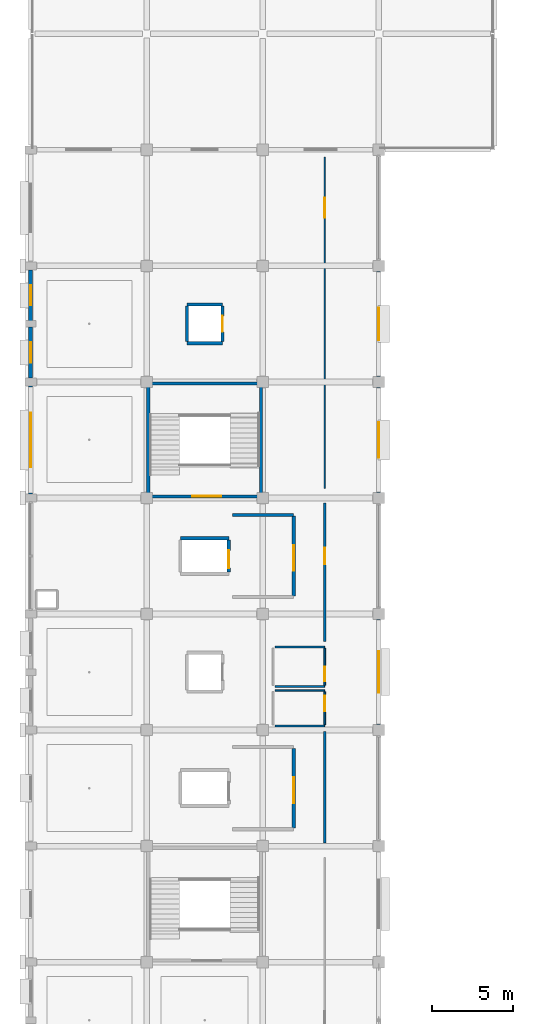
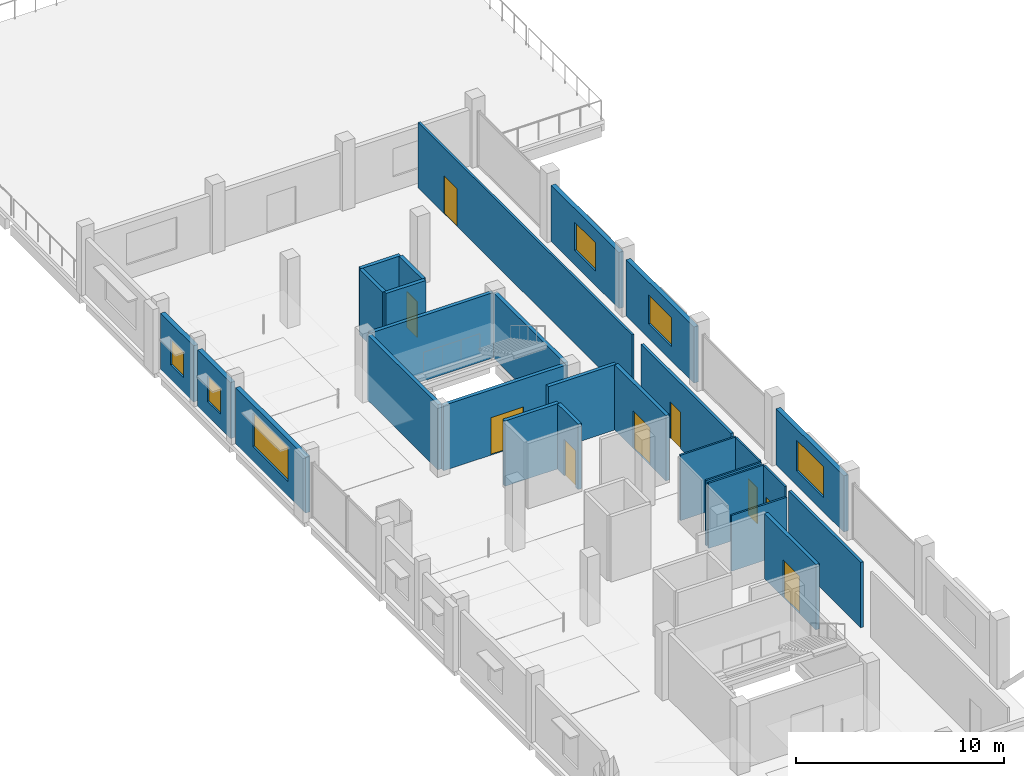
# One storey, part 53 of 77: 28 walls, 9 doors, 6 windows, 15 openings.
"""IFC4 building model written with IfcOpenShell, lengths in metres."""

from ifc_helpers import new_model, si_unit, direction, frame, frame_2d, origin, place, context, subcontext, project, spatial, rectangle, extrude, material, layer, layer_set, type_object, element, fill, save


model = new_model("IFC4")

# Units and contexts
model_context = context("Model", 3, precision=1e-05, world=origin(), true_north=direction((0.0, 1.0)))
body_context = subcontext(model_context, "Body", "Model", "MODEL_VIEW")
ifc_project = project(units=[si_unit("LENGTHUNIT", "METRE"), si_unit("AREAUNIT", "SQUARE_METRE"), si_unit("VOLUMEUNIT", "CUBIC_METRE"), si_unit("PLANEANGLEUNIT", "RADIAN"), si_unit("MASSUNIT", "GRAM", prefix="KILO")], contexts=[model_context])

# Site, building, storey
site_placement = place(None, origin())
site = spatial("IfcSite", under=ifc_project, at=site_placement, CompositionType="ELEMENT")
building_placement = place(site_placement, origin())
building = spatial("IfcBuilding", under=site, at=building_placement, Name="Kangsadwip Square Police Headquarters", CompositionType="ELEMENT")
storey_placement = place(building_placement, frame((0.0, 0.0, 17.550048828125)))
storey = spatial("IfcBuildingStorey", under=building, at=storey_placement, Name="L04", CompositionType="ELEMENT", Elevation=17.550048828125)

# Wall, opening, door
ifc_material_1 = material(Name="Fire-rated double gypsum board acoustic stud partition", Category="masonry")
ifc_layer_1 = layer(ifc_material_1, 0.1201171875)
ifc_layer_set_1 = layer_set([ifc_layer_1], Name="Fire-rated double gypsum board acoustic stud partition")
wall_type_1 = type_object("IfcWallType", Name="AcousticPartition120", PredefinedType="PARTITIONING", material=ifc_layer_set_1)
wall_1_placement = place(storey_placement, frame((18.25, 72.60009765625, 0.0), z_axis=(0.0, 0.0, 1.0), x_axis=(0.0, 1.0, 0.0)))
wall_1 = element("IfcWall", 1, at=wall_1_placement, inside=storey, type_object=wall_type_1, Name="Interior Wall WI-L04-0861", PredefinedType="PARTITIONING", context=body_context, shape_type="SweptSolid", body=[
    extrude(rectangle(XDim=20.5498046875, YDim=0.1201171875, at=frame_2d((10.27490234375, 0.0))), origin(), (0.0, 0.0, 1.0), 3.829833984375),
])
opening_1_placement = place(wall_1_placement, frame((16.7939453125, 0.0, 0.0)))
opening_1 = element("IfcOpeningElement", 2, at=opening_1_placement, cuts=wall_1, Name="Opening ID-12A", PredefinedType="OPENING", context=body_context, shape_type="SweptSolid", body=[
    extrude(rectangle(XDim=1.25, YDim=2.199951171875, at=frame_2d((0.625, 1.10009765625))), frame((0.0, 0.070068359375, 0.0), z_axis=(0.0, -1.0, 0.0), x_axis=(1.0, 0.0, 0.0)), (0.0, 0.0, 1.0), 0.14013671875),
])
ifc_material_2 = material(Name="Solid-core seasoned teak hardwood architectural door", Category="wood")
door_type_1 = type_object("IfcDoorType", Name="ClassroomDoor1250x2200", OperationType="NOTDEFINED", PredefinedType="DOOR", material=ifc_material_2)
door_1_placement = place(opening_1_placement, origin())
door_1 = element("IfcDoor", 3, at=door_1_placement, inside=storey, type_object=door_type_1, Name="Interior Door ID-L04-0233", OperationType="SINGLE_SWING_RIGHT", OverallHeight=2.199951171875, OverallWidth=1.25, PredefinedType="DOOR", context=body_context, shape_type="SweptSolid", body=[
    extrude(rectangle(XDim=1.25, YDim=2.199951171875, at=frame_2d((0.625, 1.10009765625))), frame((0.0, 0.02490234375, 0.0), z_axis=(0.0, -1.0, 0.0), x_axis=(1.0, 0.0, 0.0)), (0.0, 0.0, 1.0), 0.050048828125),
])
fill(opening_1, door_1)

ifc_material_3 = material(Name="Autoclaved aerated concrete blockwork masonry", Category="masonry")
ifc_layer_2 = layer(ifc_material_3, 0.14990234375)
ifc_layer_set_2 = layer_set([ifc_layer_2], Name="Autoclaved aerated concrete blockwork masonry")
wall_type_2 = type_object("IfcWallType", Name="BlockPartition150", PredefinedType="PARTITIONING", material=ifc_layer_set_2)
wall_2_placement = place(storey_placement, frame((18.25, 63.080078125, 0.0), z_axis=(0.0, 0.0, 1.0), x_axis=(0.0, 1.0, 0.0)))
wall_2 = element("IfcWall", 4, at=wall_2_placement, inside=storey, type_object=wall_type_2, Name="Interior Wall WI-L04-0859", PredefinedType="PARTITIONING", context=body_context, shape_type="SweptSolid", body=[
    extrude(rectangle(XDim=8.619873046875, YDim=0.14990234375, at=frame_2d((4.31005859375, 0.0))), origin(), (0.0, 0.0, 1.0), 3.829833984375),
])
opening_2_placement = place(wall_2_placement, frame((4.81396484375, 0.0, 0.0)))
opening_2 = element("IfcOpeningElement", 5, at=opening_2_placement, cuts=wall_2, Name="Opening FD-10C", PredefinedType="OPENING", context=body_context, shape_type="SweptSolid", body=[
    extrude(rectangle(XDim=1.02001953125, YDim=2.14990234375, at=frame_2d((0.510009765625, 1.074951171875))), frame((0.0, 0.0849609375, 0.0), z_axis=(0.0, -1.0, 0.0), x_axis=(1.0, 0.0, 0.0)), (0.0, 0.0, 1.0), 0.169921875),
])
ifc_material_4 = material(Name="Insulated galvanized steel fire-rated door assembly", Category="steel")
door_type_2 = type_object("IfcDoorType", Name="LabSingleDoor1020x2150", OperationType="NOTDEFINED", PredefinedType="DOOR", material=ifc_material_4)
door_2_placement = place(opening_2_placement, origin())
door_2 = element("IfcDoor", 6, at=door_2_placement, inside=storey, type_object=door_type_2, Name="Interior Door ID-L04-0232", OperationType="SINGLE_SWING_LEFT", OverallHeight=2.14990234375, OverallWidth=1.02001953125, PredefinedType="DOOR", context=body_context, shape_type="SweptSolid", body=[
    extrude(rectangle(XDim=1.02001953125, YDim=2.14990234375, at=frame_2d((0.510009765625, 1.074951171875))), frame((0.0, 0.02490234375, 0.0), z_axis=(0.0, -1.0, 0.0), x_axis=(1.0, 0.0, 0.0)), (0.0, 0.0, 1.0), 0.050048828125),
])
fill(opening_2, door_2)

# Wall
wall_3_placement = place(storey_placement, frame((18.25, 50.60009765625, 0.0), z_axis=(0.0, 0.0, 1.0), x_axis=(0.0, 1.0, 0.0)))
element("IfcWall", 7, at=wall_3_placement, inside=storey, type_object=wall_type_2, Name="Interior Wall WI-L04-0860", PredefinedType="PARTITIONING", context=body_context, shape_type="SweptSolid", body=[
    extrude(rectangle(XDim=6.919921875, YDim=0.14990234375, at=frame_2d((3.4599609375, 0.0))), origin(), (0.0, 0.0, 1.0), 3.829833984375),
])

# Wall, opening, window
ifc_material_5 = material(Name="Glazed architectural terracotta masonry rainscreen", Category="masonry")
ifc_layer_3 = layer(ifc_material_5, 0.25)
ifc_layer_set_3 = layer_set([ifc_layer_3], Name="Glazed architectural terracotta masonry rainscreen")
wall_type_3 = type_object("IfcWallType", Name="ChicagoTerracottaWall250", PredefinedType="SOLIDWALL", material=ifc_layer_set_3)
wall_4_placement = place(storey_placement, frame((0.0, 72.2451171875, 0.0), z_axis=(0.0, 0.0, 1.0), x_axis=(0.0, 1.0, 0.0)))
wall_4 = element("IfcWall", 8, at=wall_4_placement, inside=storey, type_object=wall_type_3, Name="Exterior Wall WE-L04-446", PredefinedType="SOLIDWALL", context=body_context, shape_type="SweptSolid", body=[
    extrude(rectangle(XDim=6.7099609375, YDim=0.25, at=frame_2d((3.35498046875, 0.0))), origin(), (0.0, 0.0, 1.0), 3.294921875),
])
opening_3_placement = place(wall_4_placement, frame((1.655029296875, 0.0, 0.85009765625)))
opening_3 = element("IfcOpeningElement", 9, at=opening_3_placement, cuts=wall_4, Name="Opening WN-02", PredefinedType="OPENING", context=body_context, shape_type="SweptSolid", body=[
    extrude(rectangle(XDim=3.39990234375, YDim=2.0, at=frame_2d((1.699951171875, 1.0))), frame((0.0, 0.135009765625, 0.0), z_axis=(0.0, -1.0, 0.0), x_axis=(1.0, 0.0, 0.0)), (0.0, 0.0, 1.0), 0.27001953125),
])
ifc_material_6 = material(Name="Double-glazed solar-control low-E safety glass", Category="glass")
window_type_1 = type_object("IfcWindowType", Name="ChicagoTripartiteWin3400x2000", PartitioningType="TRIPLE_PANEL_HORIZONTAL", PredefinedType="WINDOW", material=ifc_material_6)
window_1_placement = place(opening_3_placement, origin())
window_1 = element("IfcWindow", 10, at=window_1_placement, inside=storey, type_object=window_type_1, Name="Window WN-L04-0296", OverallHeight=2.0, OverallWidth=3.39990234375, PartitioningType="SINGLE_PANEL", PredefinedType="WINDOW", context=body_context, shape_type="SweptSolid", body=[
    extrude(rectangle(XDim=3.39990234375, YDim=2.0, at=frame_2d((1.699951171875, 1.0))), frame((0.0, 0.030029296875, 0.0), z_axis=(0.0, -1.0, 0.0), x_axis=(1.0, 0.0, 0.0)), (0.0, 0.0, 1.0), 0.06005859375),
])
fill(opening_3, window_1)

wall_5_placement = place(storey_placement, frame((0.0, 79.445068359375, 0.0), z_axis=(0.0, 0.0, 1.0), x_axis=(0.0, 1.0, 0.0)))
wall_5 = element("IfcWall", 11, at=wall_5_placement, inside=storey, type_object=wall_type_3, Name="Exterior Wall WE-L04-447", PredefinedType="SOLIDWALL", context=body_context, shape_type="SweptSolid", body=[
    extrude(rectangle(XDim=3.159912109375, YDim=0.25, at=frame_2d((1.580078125, 0.0))), origin(), (0.0, 0.0, 1.0), 3.294921875),
])
opening_4_placement = place(wall_5_placement, frame((0.955078125, 0.0, 0.85009765625)))
opening_4 = element("IfcOpeningElement", 12, at=opening_4_placement, cuts=wall_5, Name="Opening WN-14", PredefinedType="OPENING", context=body_context, shape_type="SweptSolid", body=[
    extrude(rectangle(XDim=1.25, YDim=1.5, at=frame_2d((0.625, 0.75))), frame((0.0, 0.135009765625, 0.0), z_axis=(0.0, -1.0, 0.0), x_axis=(1.0, 0.0, 0.0)), (0.0, 0.0, 1.0), 0.27001953125),
])
ifc_material_7 = material(Name="Double-glazed solar-control low-E safety glass", Category="glass")
window_type_2 = type_object("IfcWindowType", Name="OfficeCasementWin1250x1500", PartitioningType="SINGLE_PANEL", PredefinedType="WINDOW", material=ifc_material_7)
window_2_placement = place(opening_4_placement, origin())
window_2 = element("IfcWindow", 13, at=window_2_placement, inside=storey, type_object=window_type_2, Name="Window WN-L04-0297", OverallHeight=1.5, OverallWidth=1.25, PartitioningType="SINGLE_PANEL", PredefinedType="WINDOW", context=body_context, shape_type="SweptSolid", body=[
    extrude(rectangle(XDim=1.25, YDim=1.5, at=frame_2d((0.625, 0.75))), frame((0.0, 0.030029296875, 0.0), z_axis=(0.0, -1.0, 0.0), x_axis=(1.0, 0.0, 0.0)), (0.0, 0.0, 1.0), 0.06005859375),
])
fill(opening_4, window_2)

wall_6_placement = place(storey_placement, frame((0.0, 82.9951171875, 0.0), z_axis=(0.0, 0.0, 1.0), x_axis=(0.0, 1.0, 0.0)))
wall_6 = element("IfcWall", 14, at=wall_6_placement, inside=storey, type_object=wall_type_3, Name="Exterior Wall WE-L04-448", PredefinedType="SOLIDWALL", context=body_context, shape_type="SweptSolid", body=[
    extrude(rectangle(XDim=3.159912109375, YDim=0.25, at=frame_2d((1.580078125, 0.0))), origin(), (0.0, 0.0, 1.0), 3.294921875),
])
opening_5_placement = place(wall_6_placement, frame((0.955078125, 0.0, 0.85009765625)))
opening_5 = element("IfcOpeningElement", 15, at=opening_5_placement, cuts=wall_6, Name="Opening WN-14", PredefinedType="OPENING", context=body_context, shape_type="SweptSolid", body=[
    extrude(rectangle(XDim=1.25, YDim=1.5, at=frame_2d((0.625, 0.75))), frame((0.0, 0.135009765625, 0.0), z_axis=(0.0, -1.0, 0.0), x_axis=(1.0, 0.0, 0.0)), (0.0, 0.0, 1.0), 0.27001953125),
])
window_3_placement = place(opening_5_placement, origin())
window_3 = element("IfcWindow", 16, at=window_3_placement, inside=storey, type_object=window_type_2, Name="Window WN-L04-0298", OverallHeight=1.5, OverallWidth=1.25, PartitioningType="SINGLE_PANEL", PredefinedType="WINDOW", context=body_context, shape_type="SweptSolid", body=[
    extrude(rectangle(XDim=1.25, YDim=1.5, at=frame_2d((0.625, 0.75))), frame((0.0, 0.030029296875, 0.0), z_axis=(0.0, -1.0, 0.0), x_axis=(1.0, 0.0, 0.0)), (0.0, 0.0, 1.0), 0.06005859375),
])
fill(opening_5, window_3)

wall_7_placement = place(storey_placement, frame((21.60009765625, 57.945068359375, 0.0), z_axis=(0.0, 0.0, 1.0), x_axis=(0.0, 1.0, 0.0)))
wall_7 = element("IfcWall", 17, at=wall_7_placement, inside=storey, type_object=wall_type_3, Name="Exterior Wall WE-L04-451", PredefinedType="SOLIDWALL", context=body_context, shape_type="SweptSolid", body=[
    extrude(rectangle(XDim=6.510009765625, YDim=0.25, at=frame_2d((3.2548828125, 0.0))), origin(), (0.0, 0.0, 1.0), 3.294921875),
])
opening_6_placement = place(wall_7_placement, frame((1.955078125, 0.0, 0.85009765625)))
opening_6 = element("IfcOpeningElement", 18, at=opening_6_placement, cuts=wall_7, Name="Opening WN-06", PredefinedType="OPENING", context=body_context, shape_type="SweptSolid", body=[
    extrude(rectangle(XDim=2.60009765625, YDim=1.800048828125, at=frame_2d((1.300048828125, 0.89990234375))), frame((0.0, 0.135009765625, 0.0), z_axis=(0.0, -1.0, 0.0), x_axis=(1.0, 0.0, 0.0)), (0.0, 0.0, 1.0), 0.27001953125),
])
ifc_material_8 = material(Name="Double-glazed solar-control low-E safety glass", Category="glass")
window_type_3 = type_object("IfcWindowType", Name="ChicagoDoubleMullWin2600x1800", PartitioningType="DOUBLE_PANEL_VERTICAL", PredefinedType="WINDOW", material=ifc_material_8)
window_4_placement = place(opening_6_placement, origin())
window_4 = element("IfcWindow", 19, at=window_4_placement, inside=storey, type_object=window_type_3, Name="Window WN-L04-0301", OverallHeight=1.800048828125, OverallWidth=2.60009765625, PartitioningType="SINGLE_PANEL", PredefinedType="WINDOW", context=body_context, shape_type="SweptSolid", body=[
    extrude(rectangle(XDim=2.60009765625, YDim=1.800048828125, at=frame_2d((1.300048828125, 0.89990234375))), frame((0.0, 0.030029296875, 0.0), z_axis=(0.0, -1.0, 0.0), x_axis=(1.0, 0.0, 0.0)), (0.0, 0.0, 1.0), 0.06005859375),
])
fill(opening_6, window_4)

wall_8_placement = place(storey_placement, frame((21.60009765625, 72.344970703125, 0.0), z_axis=(0.0, 0.0, 1.0), x_axis=(0.0, 1.0, 0.0)))
wall_8 = element("IfcWall", 20, at=wall_8_placement, inside=storey, type_object=wall_type_3, Name="Exterior Wall WE-L04-452", PredefinedType="SOLIDWALL", context=body_context, shape_type="SweptSolid", body=[
    extrude(rectangle(XDim=6.510009765625, YDim=0.25, at=frame_2d((3.2548828125, 0.0))), origin(), (0.0, 0.0, 1.0), 3.294921875),
])
opening_7_placement = place(wall_8_placement, frame((2.155029296875, 0.0, 0.85009765625)))
opening_7 = element("IfcOpeningElement", 21, at=opening_7_placement, cuts=wall_8, Name="Opening WN-08", PredefinedType="OPENING", context=body_context, shape_type="SweptSolid", body=[
    extrude(rectangle(XDim=2.199951171875, YDim=1.699951171875, at=frame_2d((1.10009765625, 0.85009765625))), frame((0.0, 0.135009765625, 0.0), z_axis=(0.0, -1.0, 0.0), x_axis=(1.0, 0.0, 0.0)), (0.0, 0.0, 1.0), 0.27001953125),
])
ifc_material_9 = material(Name="Double-glazed solar-control low-E safety glass", Category="glass")
window_type_4 = type_object("IfcWindowType", Name="ChicagoDoubleMullWin2200x1700", PartitioningType="DOUBLE_PANEL_VERTICAL", PredefinedType="WINDOW", material=ifc_material_9)
window_5_placement = place(opening_7_placement, origin())
window_5 = element("IfcWindow", 22, at=window_5_placement, inside=storey, type_object=window_type_4, Name="Window WN-L04-0302", OverallHeight=1.699951171875, OverallWidth=2.199951171875, PartitioningType="SINGLE_PANEL", PredefinedType="WINDOW", context=body_context, shape_type="SweptSolid", body=[
    extrude(rectangle(XDim=2.199951171875, YDim=1.699951171875, at=frame_2d((1.10009765625, 0.85009765625))), frame((0.0, 0.030029296875, 0.0), z_axis=(0.0, -1.0, 0.0), x_axis=(1.0, 0.0, 0.0)), (0.0, 0.0, 1.0), 0.06005859375),
])
fill(opening_7, window_5)

wall_9_placement = place(storey_placement, frame((21.60009765625, 79.544921875, 0.0), z_axis=(0.0, 0.0, 1.0), x_axis=(0.0, 1.0, 0.0)))
wall_9 = element("IfcWall", 23, at=wall_9_placement, inside=storey, type_object=wall_type_3, Name="Exterior Wall WE-L04-453", PredefinedType="SOLIDWALL", context=body_context, shape_type="SweptSolid", body=[
    extrude(rectangle(XDim=6.510009765625, YDim=0.25, at=frame_2d((3.2548828125, 0.0))), origin(), (0.0, 0.0, 1.0), 3.294921875),
])
opening_8_placement = place(wall_9_placement, frame((2.2548828125, 0.0, 0.85009765625)))
opening_8 = element("IfcOpeningElement", 24, at=opening_8_placement, cuts=wall_9, Name="Opening WN-09", PredefinedType="OPENING", context=body_context, shape_type="SweptSolid", body=[
    extrude(rectangle(XDim=2.0, YDim=1.64990234375, at=frame_2d((1.0, 0.824951171875))), frame((0.0, 0.135009765625, 0.0), z_axis=(0.0, -1.0, 0.0), x_axis=(1.0, 0.0, 0.0)), (0.0, 0.0, 1.0), 0.27001953125),
])
ifc_material_10 = material(Name="Double-glazed solar-control low-E safety glass", Category="glass")
window_type_5 = type_object("IfcWindowType", Name="ChicagoDoubleMullWin2000x1650", PartitioningType="DOUBLE_PANEL_VERTICAL", PredefinedType="WINDOW", material=ifc_material_10)
window_6_placement = place(opening_8_placement, origin())
window_6 = element("IfcWindow", 25, at=window_6_placement, inside=storey, type_object=window_type_5, Name="Window WN-L04-0303", OverallHeight=1.64990234375, OverallWidth=2.0, PartitioningType="SINGLE_PANEL", PredefinedType="WINDOW", context=body_context, shape_type="SweptSolid", body=[
    extrude(rectangle(XDim=2.0, YDim=1.64990234375, at=frame_2d((1.0, 0.824951171875))), frame((0.0, 0.030029296875, 0.0), z_axis=(0.0, -1.0, 0.0), x_axis=(1.0, 0.0, 0.0)), (0.0, 0.0, 1.0), 0.06005859375),
])
fill(opening_8, window_6)

# Wall, opening, door
ifc_material_11 = material(Name="Concrete M40 (40 MPa)", Category="concrete")
ifc_layer_4 = layer(ifc_material_11, 0.199951171875)
ifc_layer_set_4 = layer_set([ifc_layer_4], Name="Concrete M40 (40 MPa)")
wall_type_4 = type_object("IfcWallType", Name="CoreShearWall200", PredefinedType="SHEAR", material=ifc_layer_set_4)
wall_10_placement = place(storey_placement, frame((7.39990234375, 72.10009765625, 0.0), z_axis=(0.0, 0.0, 1.0), x_axis=(1.0, 0.0, 0.0)))
wall_10 = element("IfcWall", 26, at=wall_10_placement, inside=storey, type_object=wall_type_4, Name="Interior Wall WI-L04-0069", PredefinedType="SHEAR", context=body_context, shape_type="SweptSolid", body=[
    extrude(rectangle(XDim=6.800048828125, YDim=0.199951171875, at=frame_2d((3.39990234375, 0.0))), origin(), (0.0, 0.0, 1.0), 3.829833984375),
])
opening_9_placement = place(wall_10_placement, frame((2.632080078125, 0.0, 0.0)))
opening_9 = element("IfcOpeningElement", 27, at=opening_9_placement, cuts=wall_10, Name="Opening FD-18", PredefinedType="OPENING", context=body_context, shape_type="SweptSolid", body=[
    extrude(rectangle(XDim=1.800048828125, YDim=2.199951171875, at=frame_2d((0.89990234375, 1.10009765625))), frame((0.0, 0.10986328125, 0.0), z_axis=(0.0, -1.0, 0.0), x_axis=(1.0, 0.0, 0.0)), (0.0, 0.0, 1.0), 0.219970703125),
])
ifc_material_12 = material(Name="Insulated galvanized steel fire-rated door assembly", Category="steel")
door_type_3 = type_object("IfcDoorType", Name="StairFireDoor1800x2200", OperationType="DOUBLE_DOOR_SINGLE_SWING", PredefinedType="DOOR", material=ifc_material_12)
door_3_placement = place(opening_9_placement, origin())
door_3 = element("IfcDoor", 28, at=door_3_placement, inside=storey, type_object=door_type_3, Name="Interior Door ID-L04-0015", OperationType="DOUBLE_DOOR_SINGLE_SWING", OverallHeight=2.199951171875, OverallWidth=1.800048828125, PredefinedType="DOOR", context=body_context, shape_type="SweptSolid", body=[
    extrude(rectangle(XDim=1.800048828125, YDim=2.199951171875, at=frame_2d((0.89990234375, 1.10009765625))), frame((0.0, 0.02490234375, 0.0), z_axis=(0.0, -1.0, 0.0), x_axis=(1.0, 0.0, 0.0)), (0.0, 0.0, 1.0), 0.050048828125),
])
fill(opening_9, door_3)

# Walls
for number, where, z_axis, x_axis, name in (
    (29, (7.39990234375, 79.10009765625, 0.0), (0.0, 0.0, 1.0), (1.0, 0.0, 0.0), "Interior Wall WI-L04-0070"),
    (30, (7.300048828125, 72.199951171875, 0.0), (0.0, 0.0, 1.0), (0.0, 1.0, 0.0), "Interior Wall WI-L04-0071"),
    (31, (14.300048828125, 72.199951171875, 0.0), (0.0, 0.0, 1.0), (0.0, 1.0, 0.0), "Interior Wall WI-L04-0072"),
):
    element("IfcWall", number, at=place(storey_placement, frame(where, z_axis=z_axis, x_axis=x_axis)), inside=storey, type_object=wall_type_4, Name=name, PredefinedType="SHEAR", context=body_context, shape_type="SweptSolid", body=[
        extrude(rectangle(XDim=6.800048828125, YDim=0.199951171875, at=frame_2d((3.39990234375, 0.0))), origin(), (0.0, 0.0, 1.0), 3.829833984375),
    ])
wall_11_placement = place(storey_placement, frame((9.300048828125, 69.5, 0.0), z_axis=(0.0, 0.0, 1.0), x_axis=(1.0, 0.0, 0.0)))
element("IfcWall", 32, at=wall_11_placement, inside=storey, type_object=wall_type_4, Name="Interior Wall WI-L04-0292", PredefinedType="SHEAR", context=body_context, shape_type="SweptSolid", body=[
    extrude(rectangle(XDim=3.0, YDim=0.199951171875, at=frame_2d((1.5, 0.0))), origin(), (0.0, 0.0, 1.0), 3.829833984375),
])

# Wall, opening, door
wall_12_placement = place(storey_placement, frame((12.300048828125, 67.39990234375, 0.0), z_axis=(0.0, 0.0, 1.0), x_axis=(0.0, 1.0, 0.0)))
wall_12 = element("IfcWall", 33, at=wall_12_placement, inside=storey, type_object=wall_type_4, Name="Interior Wall WI-L04-0294", PredefinedType="SHEAR", context=body_context, shape_type="SweptSolid", body=[
    extrude(rectangle(XDim=2.0, YDim=0.199951171875, at=frame_2d((1.0, 0.0))), origin(), (0.0, 0.0, 1.0), 3.829833984375),
])
opening_10_placement = place(wall_12_placement, frame((0.25, 0.0, 0.0)))
opening_10 = element("IfcOpeningElement", 34, at=opening_10_placement, cuts=wall_12, Name="Opening LD-015", PredefinedType="OPENING", context=body_context, shape_type="SweptSolid", body=[
    extrude(rectangle(XDim=1.10009765625, YDim=2.14990234375, at=frame_2d((0.550048828125, 1.074951171875))), frame((0.0, 0.10986328125, 0.0), z_axis=(0.0, -1.0, 0.0), x_axis=(1.0, 0.0, 0.0)), (0.0, 0.0, 1.0), 0.219970703125),
])
ifc_material_13 = material(Name="Brushed stainless steel automatic sliding lift landing door", Category="steel")
door_type_4 = type_object("IfcDoorType", Name="LiftLandingDoor1100x2150", OperationType="DOUBLE_DOOR_SLIDING", PredefinedType="DOOR", material=ifc_material_13)
door_4_placement = place(opening_10_placement, origin())
door_4 = element("IfcDoor", 35, at=door_4_placement, inside=storey, type_object=door_type_4, Name="Interior Door LD-015", OperationType="DOUBLE_DOOR_SLIDING", OverallHeight=2.14990234375, OverallWidth=1.10009765625, PredefinedType="DOOR", context=body_context, shape_type="SweptSolid", body=[
    extrude(rectangle(XDim=1.10009765625, YDim=2.14990234375, at=frame_2d((0.550048828125, 1.074951171875))), frame((0.0, 0.02490234375, 0.0), z_axis=(0.0, -1.0, 0.0), x_axis=(1.0, 0.0, 0.0)), (0.0, 0.0, 1.0), 0.050048828125),
])
fill(opening_10, door_4)

# Walls
for number, where, z_axis, x_axis, name in (
    (36, (9.699951171875, 81.60009765625, 0.0), (0.0, 0.0, 1.0), (1.0, 0.0, 0.0), "Interior Wall WI-L04-0407"),
    (37, (9.699951171875, 84.0, 0.0), (0.0, 0.0, 1.0), (1.0, 0.0, 0.0), "Interior Wall WI-L04-0408"),
    (38, (9.699951171875, 81.699951171875, 0.0), (0.0, 0.0, 1.0), (0.0, 1.0, 0.0), "Interior Wall WI-L04-0409"),
):
    element("IfcWall", number, at=place(storey_placement, frame(where, z_axis=z_axis, x_axis=x_axis)), inside=storey, type_object=wall_type_4, Name=name, PredefinedType="SHEAR", context=body_context, shape_type="SweptSolid", body=[
        extrude(rectangle(XDim=2.199951171875, YDim=0.199951171875, at=frame_2d((1.10009765625, 0.0))), origin(), (0.0, 0.0, 1.0), 3.829833984375),
    ])

# Wall, opening, door
wall_13_placement = place(storey_placement, frame((11.89990234375, 81.699951171875, 0.0), z_axis=(0.0, 0.0, 1.0), x_axis=(0.0, 1.0, 0.0)))
wall_13 = element("IfcWall", 39, at=wall_13_placement, inside=storey, type_object=wall_type_4, Name="Interior Wall WI-L04-0410", PredefinedType="SHEAR", context=body_context, shape_type="SweptSolid", body=[
    extrude(rectangle(XDim=2.199951171875, YDim=0.199951171875, at=frame_2d((1.10009765625, 0.0))), origin(), (0.0, 0.0, 1.0), 3.829833984375),
])
opening_11_placement = place(wall_13_placement, frame((0.60009765625, 0.0, 0.0)))
opening_11 = element("IfcOpeningElement", 40, at=opening_11_placement, cuts=wall_13, Name="Opening LD-041", PredefinedType="OPENING", context=body_context, shape_type="SweptSolid", body=[
    extrude(rectangle(XDim=1.0, YDim=2.10009765625, at=frame_2d((0.5, 1.050048828125))), frame((0.0, 0.10986328125, 0.0), z_axis=(0.0, -1.0, 0.0), x_axis=(1.0, 0.0, 0.0)), (0.0, 0.0, 1.0), 0.219970703125),
])
ifc_material_14 = material(Name="Brushed stainless steel automatic sliding lift landing door", Category="steel")
door_type_5 = type_object("IfcDoorType", Name="LiftLandingDoor1000x2100", OperationType="DOUBLE_DOOR_SLIDING", PredefinedType="DOOR", material=ifc_material_14)
door_5_placement = place(opening_11_placement, origin())
door_5 = element("IfcDoor", 41, at=door_5_placement, inside=storey, type_object=door_type_5, Name="Interior Door LD-041", OperationType="DOUBLE_DOOR_SLIDING", OverallHeight=2.10009765625, OverallWidth=1.0, PredefinedType="DOOR", context=body_context, shape_type="SweptSolid", body=[
    extrude(rectangle(XDim=1.0, YDim=2.10009765625, at=frame_2d((0.5, 1.050048828125))), frame((0.0, 0.02490234375, 0.0), z_axis=(0.0, -1.0, 0.0), x_axis=(1.0, 0.0, 0.0)), (0.0, 0.0, 1.0), 0.050048828125),
])
fill(opening_11, door_5)

ifc_material_15 = material(Name="Concrete M40 (40 MPa)", Category="concrete")
ifc_layer_5 = layer(ifc_material_15, 0.199951171875)
ifc_layer_set_5 = layer_set([ifc_layer_5], Name="Concrete M40 (40 MPa)")
wall_type_5 = type_object("IfcWallType", Name="CustodySecurityWall200", PredefinedType="SOLIDWALL", material=ifc_layer_set_5)
wall_14_placement = place(storey_placement, frame((16.320068359375, 51.530029296875, 0.0), z_axis=(0.0, 0.0, 1.0), x_axis=(0.0, 1.0, 0.0)))
wall_14 = element("IfcWall", 42, at=wall_14_placement, inside=storey, type_object=wall_type_5, Name="Interior Wall WI-L04-0830", PredefinedType="SOLIDWALL", context=body_context, shape_type="SweptSolid", body=[
    extrude(rectangle(XDim=4.93994140625, YDim=0.199951171875, at=frame_2d((2.469970703125, 0.0))), origin(), (0.0, 0.0, 1.0), 3.829833984375),
])
opening_12_placement = place(wall_14_placement, frame((1.541015625, 0.0, 0.0)))
opening_12 = element("IfcOpeningElement", 43, at=opening_12_placement, cuts=wall_14, Name="Opening FD-16", PredefinedType="OPENING", context=body_context, shape_type="SweptSolid", body=[
    extrude(rectangle(XDim=1.60009765625, YDim=2.199951171875, at=frame_2d((0.800048828125, 1.10009765625))), frame((0.0, 0.10986328125, 0.0), z_axis=(0.0, -1.0, 0.0), x_axis=(1.0, 0.0, 0.0)), (0.0, 0.0, 1.0), 0.219970703125),
])
ifc_material_16 = material(Name="Insulated galvanized steel fire-rated door assembly", Category="steel")
door_type_6 = type_object("IfcDoorType", Name="FfLobbyFireDoor1600x2200", OperationType="DOUBLE_DOOR_SINGLE_SWING", PredefinedType="DOOR", material=ifc_material_16)
door_6_placement = place(opening_12_placement, origin())
door_6 = element("IfcDoor", 44, at=door_6_placement, inside=storey, type_object=door_type_6, Name="Interior Door ID-L04-0221", OperationType="DOUBLE_DOOR_SINGLE_SWING", OverallHeight=2.199951171875, OverallWidth=1.60009765625, PredefinedType="DOOR", context=body_context, shape_type="SweptSolid", body=[
    extrude(rectangle(XDim=1.60009765625, YDim=2.199951171875, at=frame_2d((0.800048828125, 1.10009765625))), frame((0.0, 0.02490234375, 0.0), z_axis=(0.0, -1.0, 0.0), x_axis=(1.0, 0.0, 0.0)), (0.0, 0.0, 1.0), 0.050048828125),
])
fill(opening_12, door_6)

wall_15_placement = place(storey_placement, frame((16.320068359375, 65.929931640625, 0.0), z_axis=(0.0, 0.0, 1.0), x_axis=(0.0, 1.0, 0.0)))
wall_15 = element("IfcWall", 45, at=wall_15_placement, inside=storey, type_object=wall_type_5, Name="Interior Wall WI-L04-0833", PredefinedType="SOLIDWALL", context=body_context, shape_type="SweptSolid", body=[
    extrude(rectangle(XDim=4.940185546875, YDim=0.199951171875, at=frame_2d((2.47021484375, 0.0))), origin(), (0.0, 0.0, 1.0), 3.829833984375),
])
opening_13_placement = place(wall_15_placement, frame((1.541015625, 0.0, 0.0)))
opening_13 = element("IfcOpeningElement", 46, at=opening_13_placement, cuts=wall_15, Name="Opening FD-16", PredefinedType="OPENING", context=body_context, shape_type="SweptSolid", body=[
    extrude(rectangle(XDim=1.60009765625, YDim=2.199951171875, at=frame_2d((0.800048828125, 1.10009765625))), frame((0.0, 0.10986328125, 0.0), z_axis=(0.0, -1.0, 0.0), x_axis=(1.0, 0.0, 0.0)), (0.0, 0.0, 1.0), 0.219970703125),
])
door_7_placement = place(opening_13_placement, origin())
door_7 = element("IfcDoor", 47, at=door_7_placement, inside=storey, type_object=door_type_6, Name="Interior Door ID-L04-0222", OperationType="DOUBLE_DOOR_SINGLE_SWING", OverallHeight=2.199951171875, OverallWidth=1.60009765625, PredefinedType="DOOR", context=body_context, shape_type="SweptSolid", body=[
    extrude(rectangle(XDim=1.60009765625, YDim=2.199951171875, at=frame_2d((0.800048828125, 1.10009765625))), frame((0.0, 0.02490234375, 0.0), z_axis=(0.0, -1.0, 0.0), x_axis=(1.0, 0.0, 0.0)), (0.0, 0.0, 1.0), 0.050048828125),
])
fill(opening_13, door_7)

# Wall
wall_16_placement = place(storey_placement, frame((12.5400390625, 70.949951171875, 0.0), z_axis=(0.0, 0.0, 1.0), x_axis=(1.0, 0.0, 0.0)))
element("IfcWall", 48, at=wall_16_placement, inside=storey, type_object=wall_type_5, Name="Interior Wall WI-L04-0835", PredefinedType="SOLIDWALL", context=body_context, shape_type="SweptSolid", body=[
    extrude(rectangle(XDim=3.780029296875, YDim=0.199951171875, at=frame_2d((1.89013671875, 0.0))), origin(), (0.0, 0.0, 1.0), 3.829833984375),
])

# Wall, opening, door
ifc_material_17 = material(Name="Autoclaved aerated concrete blockwork masonry", Category="masonry")
ifc_layer_6 = layer(ifc_material_17, 0.10009765625)
ifc_layer_set_6 = layer_set([ifc_layer_6], Name="Autoclaved aerated concrete blockwork masonry")
wall_type_6 = type_object("IfcWallType", Name="WetWallPartition100", PredefinedType="PARTITIONING", material=ifc_layer_set_6)
wall_17_placement = place(storey_placement, frame((18.25, 57.929931640625, 0.0), z_axis=(0.0, 0.0, 1.0), x_axis=(0.0, 1.0, 0.0)))
wall_17 = element("IfcWall", 49, at=wall_17_placement, inside=storey, type_object=wall_type_6, Name="Interior Wall WI-L04-0839", PredefinedType="PARTITIONING", context=body_context, shape_type="SweptSolid", body=[
    extrude(rectangle(XDim=2.0400390625, YDim=0.10009765625, at=frame_2d((1.02001953125, 0.0))), origin(), (0.0, 0.0, 1.0), 3.829833984375),
])
opening_14_placement = place(wall_17_placement, frame((0.840087890625, 0.0, 0.0)))
opening_14 = element("IfcOpeningElement", 50, at=opening_14_placement, cuts=wall_17, Name="Opening WD-09A", PredefinedType="OPENING", context=body_context, shape_type="SweptSolid", body=[
    extrude(rectangle(XDim=0.949951171875, YDim=2.10009765625, at=frame_2d((0.47509765625, 1.050048828125))), frame((0.0, 0.06005859375, 0.0), z_axis=(0.0, -1.0, 0.0), x_axis=(1.0, 0.0, 0.0)), (0.0, 0.0, 1.0), 0.1201171875),
])
ifc_material_18 = material(Name="Solid-core seasoned teak hardwood architectural door", Category="wood")
door_type_7 = type_object("IfcDoorType", Name="AccessibleWcDoor950x2100", OperationType="NOTDEFINED", PredefinedType="DOOR", material=ifc_material_18)
door_8_placement = place(opening_14_placement, origin())
door_8 = element("IfcDoor", 51, at=door_8_placement, inside=storey, type_object=door_type_7, Name="Interior Door ID-L04-0224", OperationType="SINGLE_SWING_RIGHT", OverallHeight=2.10009765625, OverallWidth=0.949951171875, PredefinedType="DOOR", context=body_context, shape_type="SweptSolid", body=[
    extrude(rectangle(XDim=0.949951171875, YDim=2.10009765625, at=frame_2d((0.47509765625, 1.050048828125))), frame((0.0, 0.02490234375, 0.0), z_axis=(0.0, -1.0, 0.0), x_axis=(1.0, 0.0, 0.0)), (0.0, 0.0, 1.0), 0.050048828125),
])
fill(opening_14, door_8)

# Walls
wall_18_placement = place(storey_placement, frame((15.169921875, 57.85009765625, 0.0), z_axis=(0.0, 0.0, 1.0), x_axis=(1.0, 0.0, 0.0)))
element("IfcWall", 52, at=wall_18_placement, inside=storey, type_object=wall_type_6, Name="Interior Wall WI-L04-0840", PredefinedType="PARTITIONING", context=body_context, shape_type="SweptSolid", body=[
    extrude(rectangle(XDim=3.080078125, YDim=0.10009765625, at=frame_2d((1.5400390625, 0.0))), origin(), (0.0, 0.0, 1.0), 3.27001953125),
])
wall_19_placement = place(storey_placement, frame((15.169921875, 60.050048828125, 0.0), z_axis=(0.0, 0.0, 1.0), x_axis=(1.0, 0.0, 0.0)))
element("IfcWall", 53, at=wall_19_placement, inside=storey, type_object=wall_type_6, Name="Interior Wall WI-L04-0841", PredefinedType="PARTITIONING", context=body_context, shape_type="SweptSolid", body=[
    extrude(rectangle(XDim=3.080078125, YDim=0.10009765625, at=frame_2d((1.5400390625, 0.0))), origin(), (0.0, 0.0, 1.0), 3.829833984375),
])

# Wall, opening, door
wall_20_placement = place(storey_placement, frame((18.25, 60.3798828125, 0.0), z_axis=(0.0, 0.0, 1.0), x_axis=(0.0, 1.0, 0.0)))
wall_20 = element("IfcWall", 54, at=wall_20_placement, inside=storey, type_object=wall_type_6, Name="Interior Wall WI-L04-0843", PredefinedType="PARTITIONING", context=body_context, shape_type="SweptSolid", body=[
    extrude(rectangle(XDim=2.2900390625, YDim=0.10009765625, at=frame_2d((1.14501953125, 0.0))), origin(), (0.0, 0.0, 1.0), 3.829833984375),
])
opening_15_placement = place(wall_20_placement, frame((0.25, 0.0, 0.0)))
opening_15 = element("IfcOpeningElement", 55, at=opening_15_placement, cuts=wall_20, Name="Opening WD-09B", PredefinedType="OPENING", context=body_context, shape_type="SweptSolid", body=[
    extrude(rectangle(XDim=0.89990234375, YDim=2.10009765625, at=frame_2d((0.449951171875, 1.050048828125))), frame((0.0, 0.06005859375, 0.0), z_axis=(0.0, -1.0, 0.0), x_axis=(1.0, 0.0, 0.0)), (0.0, 0.0, 1.0), 0.1201171875),
])
ifc_material_19 = material(Name="Solid-core seasoned teak hardwood architectural door", Category="wood")
door_type_8 = type_object("IfcDoorType", Name="ToiletRoomDoor900x2100", OperationType="NOTDEFINED", PredefinedType="DOOR", material=ifc_material_19)
door_9_placement = place(opening_15_placement, origin())
door_9 = element("IfcDoor", 56, at=door_9_placement, inside=storey, type_object=door_type_8, Name="Interior Door ID-L04-0225", OperationType="SINGLE_SWING_LEFT", OverallHeight=2.10009765625, OverallWidth=0.89990234375, PredefinedType="DOOR", context=body_context, shape_type="SweptSolid", body=[
    extrude(rectangle(XDim=0.89990234375, YDim=2.10009765625, at=frame_2d((0.449951171875, 1.050048828125))), frame((0.0, 0.02490234375, 0.0), z_axis=(0.0, -1.0, 0.0), x_axis=(1.0, 0.0, 0.0)), (0.0, 0.0, 1.0), 0.050048828125),
])
fill(opening_15, door_9)

# Walls
for number, where, z_axis, x_axis, name in (
    (57, (15.169921875, 60.300048828125, 0.0), (0.0, 0.0, 1.0), (1.0, 0.0, 0.0), "Interior Wall WI-L04-0844"),
    (58, (15.169921875, 62.75, 0.0), (0.0, 0.0, 1.0), (1.0, 0.0, 0.0), "Interior Wall WI-L04-0845"),
):
    element("IfcWall", number, at=place(storey_placement, frame(where, z_axis=z_axis, x_axis=x_axis)), inside=storey, type_object=wall_type_6, Name=name, PredefinedType="PARTITIONING", context=body_context, shape_type="SweptSolid", body=[
        extrude(rectangle(XDim=3.080078125, YDim=0.10009765625, at=frame_2d((1.5400390625, 0.0))), origin(), (0.0, 0.0, 1.0), 3.829833984375),
    ])

save(model, "model.ifc")
